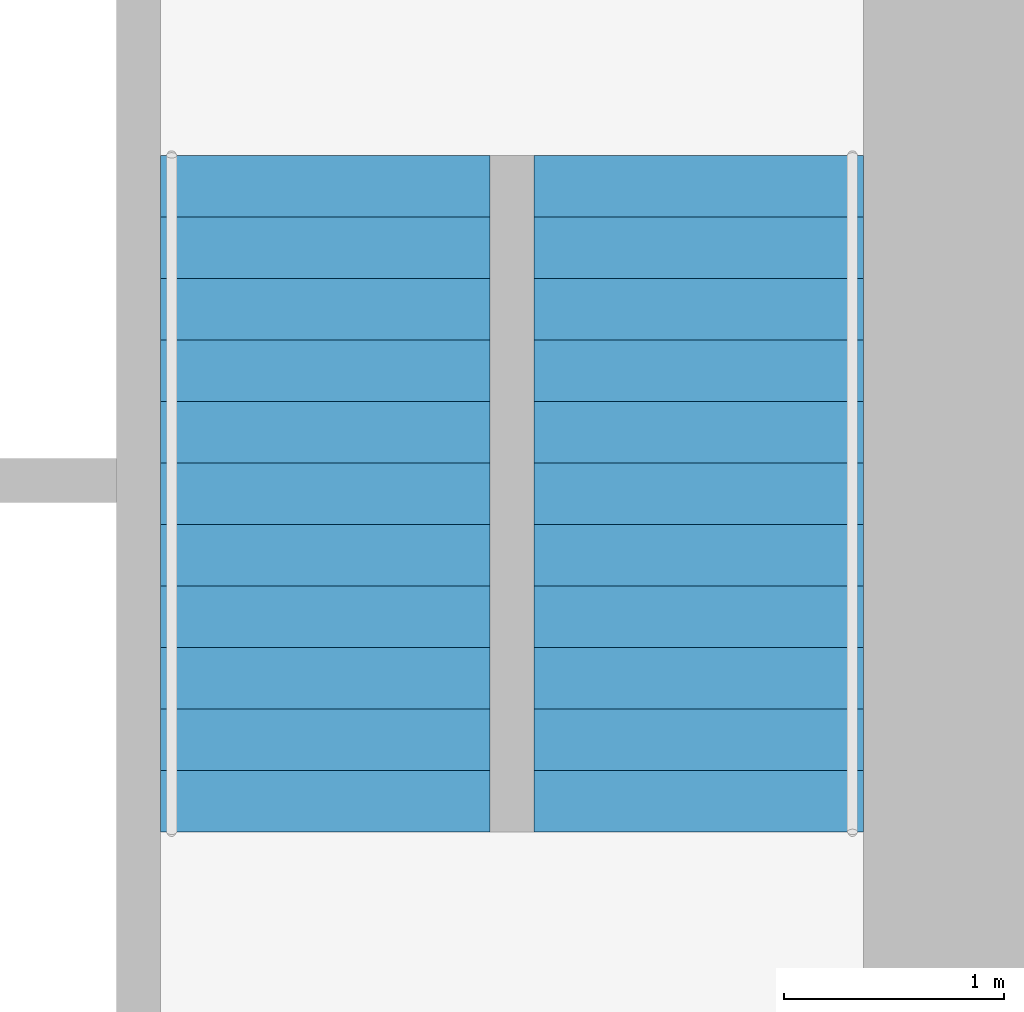
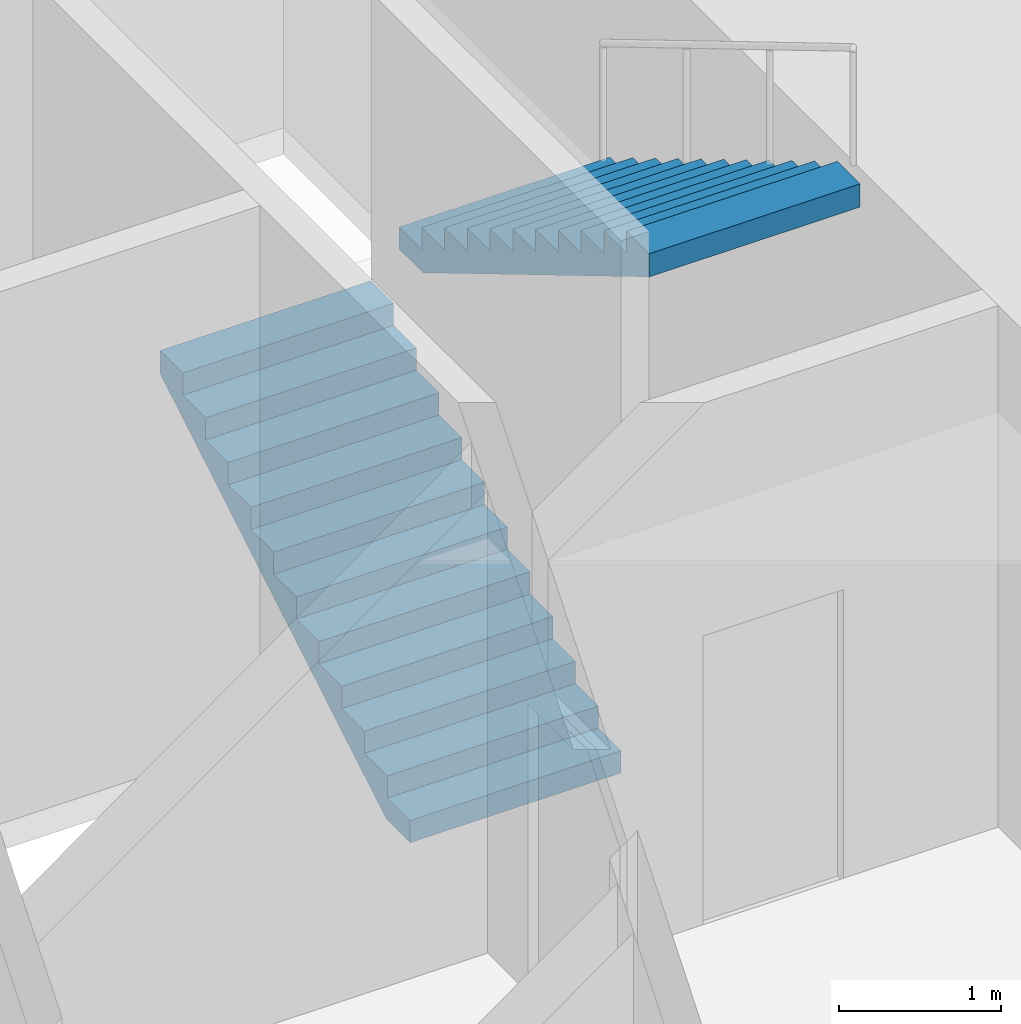
# One storey, part 14 of 17: 2 stair flights, 1 element without a shape of its own.
"""IFC4 building model written with IfcOpenShell, lengths in metres."""

from ifc_helpers import new_model, si_unit, direction, frame, origin, place, context, subcontext, project, spatial, polyline, outline, extrude, material, type_object, element, aggregate, save


model = new_model("IFC4")

# Units and contexts
model_context = context("Model", 3, precision=1e-05, world=origin(), true_north=direction((0.0, 1.0)))
body_context = subcontext(model_context, "Body", "Model", "MODEL_VIEW")
ifc_project = project(units=[si_unit("LENGTHUNIT", "METRE"), si_unit("AREAUNIT", "SQUARE_METRE"), si_unit("VOLUMEUNIT", "CUBIC_METRE"), si_unit("PLANEANGLEUNIT", "RADIAN"), si_unit("MASSUNIT", "GRAM", prefix="KILO")], contexts=[model_context])

# Site, building, storey
site_placement = place(None, origin())
site = spatial("IfcSite", under=ifc_project, at=site_placement, CompositionType="ELEMENT")
building_placement = place(site_placement, origin())
building = spatial("IfcBuilding", under=site, at=building_placement, Name="Svetlomir Tower", CompositionType="ELEMENT")
storey_placement = place(building_placement, frame((0.0, 0.0, 70.5)))
storey = spatial("IfcBuildingStorey", under=building, at=storey_placement, Name="L16", CompositionType="ELEMENT", Elevation=70.5)

# Stair, stair flights
ifc_material_1 = material(Name="Concrete C60/75", Category="concrete")
stair_type = type_object("IfcStairType", Name="EXIT STAIR 3200 RISE 4000", PredefinedType="HALF_TURN_STAIR", material=ifc_material_1)
stair_placement = place(storey_placement, origin())
stair = element("IfcStair", 1, at=stair_placement, inside=storey, type_object=stair_type, Name="Stair S2 L16 to L17", PredefinedType="HALF_TURN_STAIR")
ifc_material_2 = material(Name="Concrete C60/75", Category="concrete")
stair_flight_type = type_object("IfcStairFlightType", Name="STAIR FLIGHT 1500 OF 12 RISERS", PredefinedType="STRAIGHT", material=ifc_material_2)
stair_flight_1_placement = place(storey_placement, frame((26.949951171875, 22.300048828125, 0.0), z_axis=(0.0, 0.0, 1.0), x_axis=(0.0, 1.0, 0.0)))
stair_flight_1 = element("IfcStairFlight", 2, at=stair_flight_1_placement, type_object=stair_flight_type, Name="S2 flight 1", NumberOfRisers=12, NumberOfTreads=11, PredefinedType="STRAIGHT", RiserHeight=0.166666667, TreadLength=0.28, context=body_context, shape_type="SweptSolid", body=[
    extrude(outline(polyline([(0.0, 0.0), (0.0, 0.166748046875), (0.280029296875, 0.166748046875), (0.280029296875, 0.333251953125), (0.56005859375, 0.333251953125), (0.56005859375, 0.5), (0.840087890625, 0.5), (0.840087890625, 0.666748046875), (1.1201171875, 0.666748046875), (1.1201171875, 0.833251953125), (1.39990234375, 0.833251953125), (1.39990234375, 1.0), (1.679931640625, 1.0), (1.679931640625, 1.166748046875), (1.9599609375, 1.166748046875), (1.9599609375, 1.333251953125), (2.239990234375, 1.333251953125), (2.239990234375, 1.5), (2.52001953125, 1.5), (2.52001953125, 1.666748046875), (2.800048828125, 1.666748046875), (2.800048828125, 1.833251953125), (3.080078125, 1.833251953125), (3.080078125, 2.0), (3.080078125, 1.658935546875), (0.29296875, 0.0), (0.0, 0.0)])), frame((0.0, 0.75, 0.0), z_axis=(0.0, -1.0, 0.0), x_axis=(1.0, 0.0, 0.0)), (0.0, 0.0, 1.0), 1.5),
])
stair_flight_2_placement = place(storey_placement, frame((28.64990234375, 25.3798828125, 2.0), z_axis=(0.0, 0.0, 1.0), x_axis=(0.0, -1.0, 0.0)))
stair_flight_2 = element("IfcStairFlight", 3, at=stair_flight_2_placement, type_object=stair_flight_type, Name="S2 flight 2", NumberOfRisers=12, NumberOfTreads=11, PredefinedType="STRAIGHT", RiserHeight=0.166666667, TreadLength=0.28, context=body_context, shape_type="SweptSolid", body=[
    extrude(outline(polyline([(0.0, 0.0), (0.0, 0.166748046875), (0.280029296875, 0.166748046875), (0.280029296875, 0.333251953125), (0.56005859375, 0.333251953125), (0.56005859375, 0.5), (0.840087890625, 0.5), (0.840087890625, 0.666748046875), (1.1201171875, 0.666748046875), (1.1201171875, 0.833251953125), (1.39990234375, 0.833251953125), (1.39990234375, 1.0), (1.679931640625, 1.0), (1.679931640625, 1.166748046875), (1.9599609375, 1.166748046875), (1.9599609375, 1.333251953125), (2.239990234375, 1.333251953125), (2.239990234375, 1.5), (2.52001953125, 1.5), (2.52001953125, 1.666748046875), (2.800048828125, 1.666748046875), (2.800048828125, 1.833251953125), (3.080078125, 1.833251953125), (3.080078125, 2.0), (3.080078125, 1.658935546875), (0.29296875, 0.0), (0.0, 0.0)])), frame((0.0, 0.75, 0.0), z_axis=(0.0, -1.0, 0.0), x_axis=(1.0, 0.0, 0.0)), (0.0, 0.0, 1.0), 1.5),
])
aggregate(stair, [stair_flight_1, stair_flight_2])

save(model, "model.ifc")
